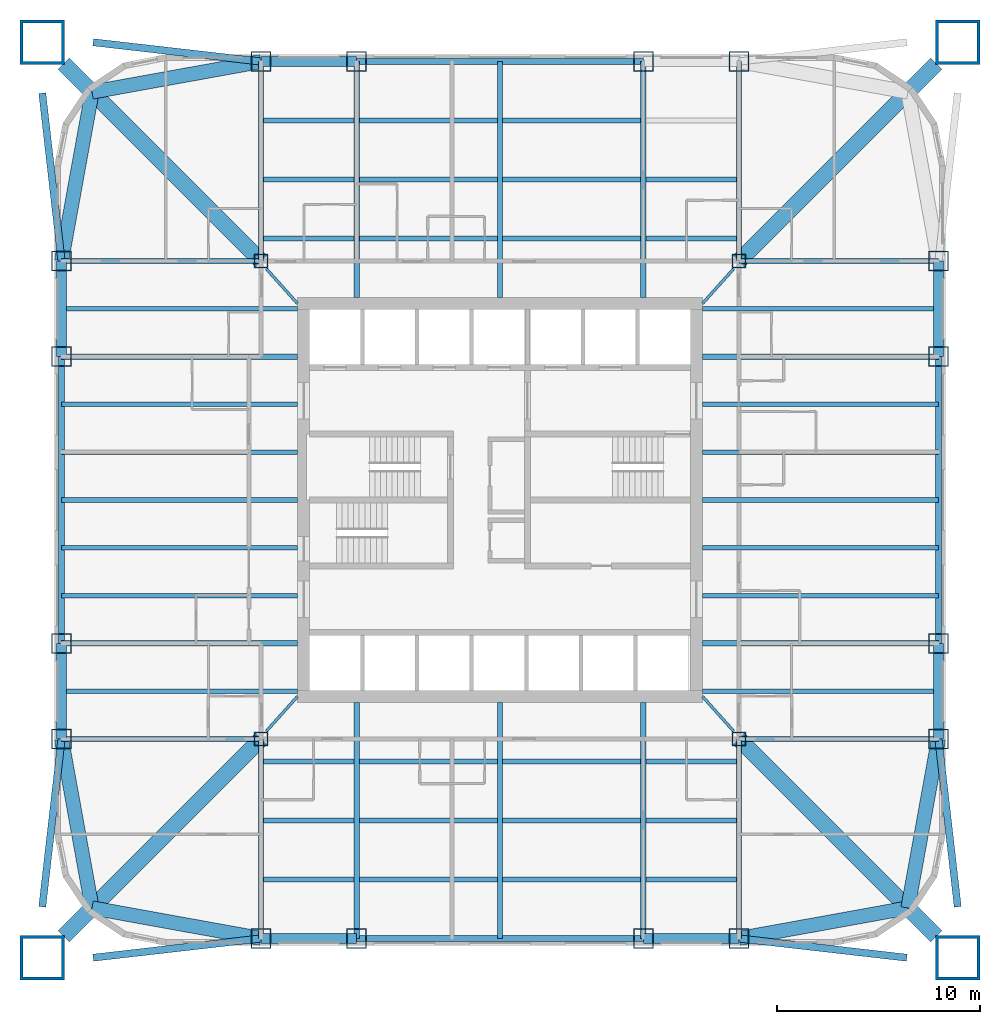
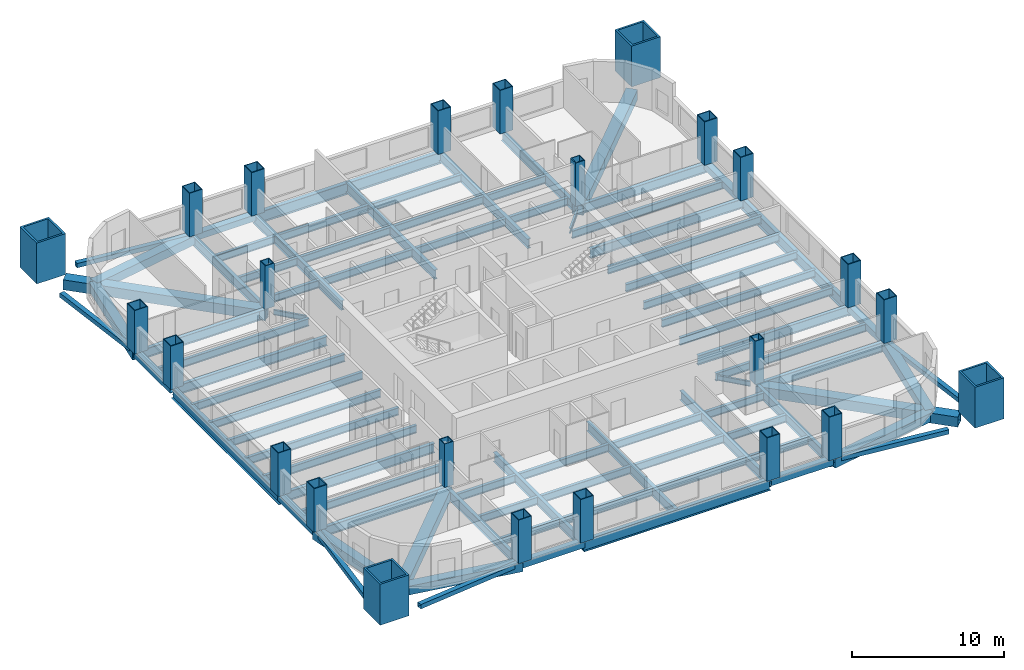
# One storey, part 1 of 9: 86 beams, 24 columns.
"""IFC4 building model written with IfcOpenShell, lengths in metres."""

from ifc_helpers import new_model, si_unit, direction, frame, origin, origin_2d, place, context, subcontext, project, spatial, hollow_rectangle, i_section, extrude, clip, halfspace, material, material_profile, profile_set, type_object, element, save


model = new_model("IFC4")

# Units and contexts
model_context = context("Model", 3, precision=1e-05, world=origin(), true_north=direction((0.0, 1.0)))
body_context = subcontext(model_context, "Body", "Model", "MODEL_VIEW")
ifc_project = project(units=[si_unit("LENGTHUNIT", "METRE"), si_unit("AREAUNIT", "SQUARE_METRE"), si_unit("VOLUMEUNIT", "CUBIC_METRE"), si_unit("PLANEANGLEUNIT", "RADIAN"), si_unit("MASSUNIT", "GRAM", prefix="KILO")], contexts=[model_context])

# Site, building, storey
site_placement = place(None, origin())
site = spatial("IfcSite", under=ifc_project, at=site_placement, CompositionType="ELEMENT")
building_placement = place(site_placement, origin())
building = spatial("IfcBuilding", under=site, at=building_placement, Name="Turquesa Mirador Hotel Tower", CompositionType="ELEMENT")
storey_placement = place(building_placement, frame((0.0, 0.0, 84.5)))
storey = spatial("IfcBuildingStorey", under=building, at=storey_placement, Name="L22", CompositionType="ELEMENT", Elevation=84.5)

# Columns
ifc_material_1 = material(Name="Steel ASTM A572 Grade 50", Category="steel")
ifc_material_profile_1 = material_profile(ifc_material_1, hollow_rectangle(XDim=1.0, YDim=1.0, WallThickness=0.06005859375, at=origin_2d()), Name="BOX1000X1000X60")
ifc_profile_set_1 = profile_set([ifc_material_profile_1], Name="Steel ASTM A572 Grade 50")
column_type_1 = type_object("IfcColumnType", Name="COLUMN BOX1000X1000X60", PredefinedType="COLUMN", material=ifc_profile_set_1)
for number, where, z_axis, x_axis, name in (
    (1, (33.35009765625, 33.199951171875, 0.0), (0.0, 0.0, 1.0), (1.0, 0.0, 0.0), "COL-L22-P--21.65--11.80"),
    (2, (33.35009765625, 37.919921875, 0.0), (0.0, 0.0, 1.0), (1.0, 0.0, 0.0), "COL-L22-P--21.65--7.08"),
    (3, (33.35009765625, 52.080078125, 0.0), (0.0, 0.0, 1.0), (1.0, 0.0, 0.0), "COL-L22-P--21.65-+7.08"),
    (4, (33.35009765625, 56.800048828125, 0.0), (0.0, 0.0, 1.0), (1.0, 0.0, 0.0), "COL-L22-P--21.65-+11.80"),
    (5, (43.199951171875, 23.35009765625, 0.0), (0.0, 0.0, 1.0), (1.0, 0.0, 0.0), "COL-L22-P--11.80--21.65"),
    (6, (43.199951171875, 66.64990234375, 0.0), (0.0, 0.0, 1.0), (1.0, 0.0, 0.0), "COL-L22-P--11.80-+21.65"),
    (7, (47.919921875, 23.35009765625, 0.0), (0.0, 0.0, 1.0), (1.0, 0.0, 0.0), "COL-L22-P--7.08--21.65"),
    (8, (47.919921875, 66.64990234375, 0.0), (0.0, 0.0, 1.0), (1.0, 0.0, 0.0), "COL-L22-P--7.08-+21.65"),
    (9, (62.080078125, 23.35009765625, 0.0), (0.0, 0.0, 1.0), (1.0, 0.0, 0.0), "COL-L22-P-+7.08--21.65"),
    (10, (62.080078125, 66.64990234375, 0.0), (0.0, 0.0, 1.0), (1.0, 0.0, 0.0), "COL-L22-P-+7.08-+21.65"),
    (11, (66.800048828125, 23.35009765625, 0.0), (0.0, 0.0, 1.0), (1.0, 0.0, 0.0), "COL-L22-P-+11.80--21.65"),
    (12, (66.800048828125, 66.64990234375, 0.0), (0.0, 0.0, 1.0), (1.0, 0.0, 0.0), "COL-L22-P-+11.80-+21.65"),
    (13, (76.64990234375, 33.199951171875, 0.0), (0.0, 0.0, 1.0), (1.0, 0.0, 0.0), "COL-L22-P-+21.65--11.80"),
    (14, (76.64990234375, 37.919921875, 0.0), (0.0, 0.0, 1.0), (1.0, 0.0, 0.0), "COL-L22-P-+21.65--7.08"),
    (15, (76.64990234375, 52.080078125, 0.0), (0.0, 0.0, 1.0), (1.0, 0.0, 0.0), "COL-L22-P-+21.65-+7.08"),
    (16, (76.64990234375, 56.800048828125, 0.0), (0.0, 0.0, 1.0), (1.0, 0.0, 0.0), "COL-L22-P-+21.65-+11.80"),
):
    element("IfcColumn", number, at=place(storey_placement, frame(where, z_axis=z_axis, x_axis=x_axis)), inside=storey, type_object=column_type_1, Name=name, PredefinedType="COLUMN", context=body_context, shape_type="SweptSolid", body=[
        extrude(hollow_rectangle(XDim=1.0, YDim=1.0, WallThickness=0.06005859375, at=origin_2d()), origin(), (0.0, 0.0, 1.0), 3.5),
    ])
ifc_material_2 = material(Name="Steel ASTM A572 Grade 50", Category="steel")
ifc_material_profile_2 = material_profile(ifc_material_2, hollow_rectangle(XDim=0.699951171875, YDim=0.699951171875, WallThickness=0.06005859375, at=origin_2d()), Name="BOX700X700X60")
ifc_profile_set_2 = profile_set([ifc_material_profile_2], Name="Steel ASTM A572 Grade 50")
column_type_2 = type_object("IfcColumnType", Name="COLUMN BOX700X700X60", PredefinedType="COLUMN", material=ifc_profile_set_2)
for number, where, z_axis, x_axis, name in (
    (17, (43.199951171875, 33.199951171875, 0.0), (0.0, 0.0, 1.0), (1.0, 0.0, 0.0), "COL-L22-K--11.80--11.80"),
    (18, (43.199951171875, 56.800048828125, 0.0), (0.0, 0.0, 1.0), (1.0, 0.0, 0.0), "COL-L22-K--11.80-+11.80"),
    (19, (66.800048828125, 33.199951171875, 0.0), (0.0, 0.0, 1.0), (1.0, 0.0, 0.0), "COL-L22-K-+11.80--11.80"),
    (20, (66.800048828125, 56.800048828125, 0.0), (0.0, 0.0, 1.0), (1.0, 0.0, 0.0), "COL-L22-K-+11.80-+11.80"),
):
    element("IfcColumn", number, at=place(storey_placement, frame(where, z_axis=z_axis, x_axis=x_axis)), inside=storey, type_object=column_type_2, Name=name, PredefinedType="COLUMN", context=body_context, shape_type="SweptSolid", body=[
        extrude(hollow_rectangle(XDim=0.699951171875, YDim=0.699951171875, WallThickness=0.06005859375, at=origin_2d()), origin(), (0.0, 0.0, 1.0), 3.5),
    ])
ifc_material_3 = material(Name="Steel ASTM A514 Grade Q", Category="steel")
ifc_material_profile_3 = material_profile(ifc_material_3, hollow_rectangle(XDim=2.199951171875, YDim=2.199951171875, WallThickness=0.14990234375, at=origin_2d()), Name="BOX2200X2200X150")
ifc_profile_set_3 = profile_set([ifc_material_profile_3], Name="Steel ASTM A514 Grade Q")
column_type_3 = type_object("IfcColumnType", Name="MEGA COLUMN BOX2200X2200X150", PredefinedType="COLUMN", material=ifc_profile_set_3)
for number, where, z_axis, x_axis, name in (
    (21, (77.60009765625, 67.60009765625, 0.0), (0.0, 0.0, 1.0), (1.0, 0.0, 0.0), "Mega column M1"),
    (22, (32.39990234375, 67.60009765625, 0.0), (0.0, 0.0, 1.0), (1.0, 0.0, 0.0), "Mega column M2"),
    (23, (32.39990234375, 22.39990234375, 0.0), (0.0, 0.0, 1.0), (1.0, 0.0, 0.0), "Mega column M3"),
    (24, (77.60009765625, 22.39990234375, 0.0), (0.0, 0.0, 1.0), (1.0, 0.0, 0.0), "Mega column M4"),
):
    element("IfcColumn", number, at=place(storey_placement, frame(where, z_axis=z_axis, x_axis=x_axis)), inside=storey, type_object=column_type_3, Name=name, PredefinedType="COLUMN", context=body_context, shape_type="Clipping", body=[
        clip(extrude(hollow_rectangle(XDim=2.199951171875, YDim=2.199951171875, WallThickness=0.14990234375, at=origin_2d()), origin(), (0.0, 0.0, 1.0), 3.5), halfspace(frame((0.0, 0.0, 3.284423828125), z_axis=(0.0, 0.0, 1.0), x_axis=(1.0, 0.0, 0.0)), False)),
    ])

# Beams
ifc_material_4 = material(Name="Steel ASTM A572 Grade 50", Category="steel")
ifc_material_profile_4 = material_profile(ifc_material_4, hollow_rectangle(XDim=0.5, YDim=0.5, WallThickness=0.01611328125, at=origin_2d()), Name="BOX500X500X16")
ifc_profile_set_4 = profile_set([ifc_material_profile_4], Name="Steel ASTM A572 Grade 50")
beam_type_1 = type_object("IfcBeamType", Name="BEAM BOX500X500X16", PredefinedType="BEAM", material=ifc_profile_set_4)
for number, where, z_axis, x_axis, name in (
    (25, (43.199951171875, 66.64990234375, -0.419921875), (1.0, 0.0, 0.0), (0.0, 1.0, 0.0), "EB-L22-N-L"),
    (26, (43.199951171875, 23.35009765625, -0.419921875), (1.0, 0.0, 0.0), (0.0, 1.0, 0.0), "EB-L22-S-L"),
    (27, (62.080078125, 23.35009765625, -0.419921875), (1.0, 0.0, 0.0), (0.0, 1.0, 0.0), "EB-L22-S-R"),
    (28, (76.64990234375, 33.199951171875, -0.419921875), (0.0, 1.0, 0.0), (-1.0, 0.0, 0.0), "EB-L22-E-L"),
    (29, (76.64990234375, 52.080078125, -0.419921875), (0.0, 1.0, 0.0), (-1.0, 0.0, 0.0), "EB-L22-E-R"),
    (30, (33.35009765625, 33.199951171875, -0.419921875), (0.0, 1.0, 0.0), (-1.0, 0.0, 0.0), "EB-L22-W-L"),
    (31, (33.35009765625, 52.080078125, -0.419921875), (0.0, 1.0, 0.0), (-1.0, 0.0, 0.0), "EB-L22-W-R"),
):
    element("IfcBeam", number, at=place(storey_placement, frame(where, z_axis=z_axis, x_axis=x_axis)), inside=storey, type_object=beam_type_1, Name=name, PredefinedType="BEAM", context=body_context, shape_type="SweptSolid", body=[
        extrude(hollow_rectangle(XDim=0.5, YDim=0.5, WallThickness=0.01611328125, at=origin_2d()), origin(), (0.0, 0.0, 1.0), 4.719970703125),
    ])
ifc_material_5 = material(Name="Steel ASTM A572 Grade 50", Category="steel")
ifc_material_profile_5 = material_profile(ifc_material_5, hollow_rectangle(XDim=0.699951171875, YDim=0.699951171875, WallThickness=0.044921875, at=origin_2d()), Name="BOX700X700X45")
ifc_profile_set_5 = profile_set([ifc_material_profile_5], Name="Steel ASTM A572 Grade 50")
beam_type_2 = type_object("IfcBeamType", Name="BEAM BOX700X700X45", PredefinedType="BEAM", material=ifc_profile_set_5)
for number, where, z_axis, x_axis, name in (
    (32, (33.35009765625, 56.800048828125, -0.52001953125), (0.177932387818, 0.984042715214, 0.0), (-0.984042715214, 0.177932387818, 0.0), "KE-L22-2-0"),
    (33, (34.8583984375, 65.1416015625, -0.52001953125), (0.984042715214, 0.177932387818, 0.0), (-0.177932387818, 0.984042715214, 0.0), "KE-L22-2-1"),
    (34, (33.35009765625, 33.199951171875, -0.52001953125), (0.177932387818, -0.984042715214, 0.0), (0.984042715214, 0.177932387818, 0.0), "KE-L22-3-0"),
    (35, (34.8583984375, 24.8583984375, -0.52001953125), (0.984042715214, -0.177932387818, 0.0), (0.177932387818, 0.984042715214, 0.0), "KE-L22-3-1"),
    (36, (76.64990234375, 33.199951171875, -0.52001953125), (-0.177932387818, -0.984042715214, 0.0), (0.984042715214, -0.177932387818, 0.0), "KE-L22-4-0"),
    (37, (75.1416015625, 24.8583984375, -0.52001953125), (-0.984042715214, -0.177932387818, 0.0), (0.177932387818, -0.984042715214, 0.0), "KE-L22-4-1"),
):
    element("IfcBeam", number, at=place(storey_placement, frame(where, z_axis=z_axis, x_axis=x_axis)), inside=storey, type_object=beam_type_2, Name=name, PredefinedType="BEAM", context=body_context, shape_type="SweptSolid", body=[
        extrude(hollow_rectangle(XDim=0.699951171875, YDim=0.699951171875, WallThickness=0.044921875, at=origin_2d()), origin(), (0.0, 0.0, 1.0), 8.476806640625),
    ])
ifc_material_6 = material(Name="Steel ASTM A572 Grade 50", Category="steel")
ifc_material_profile_6 = material_profile(ifc_material_6, hollow_rectangle(XDim=0.800048828125, YDim=0.800048828125, WallThickness=0.050048828125, at=origin_2d()), Name="BOX800X800X50")
ifc_profile_set_6 = profile_set([ifc_material_profile_6], Name="Steel ASTM A572 Grade 50")
beam_type_3 = type_object("IfcBeamType", Name="BEAM BOX800X800X50", PredefinedType="BEAM", material=ifc_profile_set_6)
for number, where, z_axis, x_axis, name in (
    (38, (66.800048828125, 56.800048828125, -0.570068359375), (0.707106781187, 0.707106781187, 0.0), (-0.707106781187, 0.707106781187, 0.0), "KD-L22-1"),
    (39, (43.199951171875, 56.800048828125, -0.570068359375), (-0.707106781187, 0.707106781187, 0.0), (-0.707106781187, -0.707106781187, 0.0), "KD-L22-2"),
    (40, (43.199951171875, 33.199951171875, -0.570068359375), (-0.707106781187, -0.707106781187, 0.0), (0.707106781187, -0.707106781187, 0.0), "KD-L22-3"),
    (41, (66.800048828125, 33.199951171875, -0.570068359375), (0.707106781187, -0.707106781187, 0.0), (0.707106781187, 0.707106781187, 0.0), "KD-L22-4"),
):
    element("IfcBeam", number, at=place(storey_placement, frame(where, z_axis=z_axis, x_axis=x_axis)), inside=storey, type_object=beam_type_3, Name=name, PredefinedType="BEAM", context=body_context, shape_type="SweptSolid", body=[
        extrude(hollow_rectangle(XDim=0.800048828125, YDim=0.800048828125, WallThickness=0.050048828125, at=origin_2d()), origin(), (0.0, 0.0, 1.0), 13.78857421875),
    ])
ifc_material_7 = material(Name="Steel ASTM A992 Grade 50", Category="steel")
ifc_material_profile_7 = material_profile(ifc_material_7, i_section(OverallWidth=0.140380859375, OverallDepth=0.40380859375, WebThickness=0.007080078125, FlangeThickness=0.01123046875, at=origin_2d()), Name="W16X31")
ifc_profile_set_7 = profile_set([ifc_material_profile_7], Name="Steel ASTM A992 Grade 50")
beam_type_4 = type_object("IfcBeamType", Name="BEAM W16X31", PredefinedType="BEAM", material=ifc_profile_set_7)
for number, where, z_axis, x_axis, name in (
    (42, (66.529541015625, 56.40966796875, -0.371826171875), (-0.666745084392, -0.745285846129, 0.0), (0.745285846129, -0.666745084392, 0.0), "KT-L22-1"),
    (43, (43.470458984375, 56.40966796875, -0.371826171875), (0.666745084392, -0.745285846129, 0.0), (0.745285846129, 0.666745084392, 0.0), "KT-L22-2"),
    (44, (43.470458984375, 33.59033203125, -0.371826171875), (0.666745084392, 0.745285846129, 0.0), (-0.745285846129, 0.666745084392, 0.0), "KT-L22-3"),
    (45, (66.529541015625, 33.59033203125, -0.371826171875), (-0.666745084392, 0.745285846129, 0.0), (-0.745285846129, -0.666745084392, 0.0), "KT-L22-4"),
):
    element("IfcBeam", number, at=place(storey_placement, frame(where, z_axis=z_axis, x_axis=x_axis)), inside=storey, type_object=beam_type_4, Name=name, PredefinedType="BEAM", context=body_context, shape_type="SweptSolid", body=[
        extrude(i_section(OverallWidth=0.140380859375, OverallDepth=0.40380859375, WebThickness=0.007080078125, FlangeThickness=0.01123046875, at=origin_2d()), origin(), (0.0, 0.0, 1.0), 2.2939453125),
    ])
ifc_material_8 = material(Name="Steel ASTM A992 Grade 50", Category="steel")
ifc_material_profile_8 = material_profile(ifc_material_8, i_section(OverallWidth=0.228271484375, OverallDepth=0.607177734375, WebThickness=0.01123046875, FlangeThickness=0.017333984375, at=origin_2d()), Name="W24X76")
ifc_profile_set_8 = profile_set([ifc_material_profile_8], Name="Steel ASTM A992 Grade 50")
beam_type_5 = type_object("IfcBeamType", Name="BEAM W24X76", PredefinedType="BEAM", material=ifc_profile_set_8)
beam_1_placement = place(storey_placement, frame((43.333251953125, 57.912109375, -0.4736328125), z_axis=(1.0, 0.0, 0.0), x_axis=(0.0, 1.0, 0.0)))
element("IfcBeam", 46, at=beam_1_placement, inside=storey, type_object=beam_type_5, Name="IB-L22-N-1-0", PredefinedType="BEAM", context=body_context, shape_type="SweptSolid", body=[
    extrude(i_section(OverallWidth=0.228271484375, OverallDepth=0.607177734375, WebThickness=0.01123046875, FlangeThickness=0.017333984375, at=origin_2d()), origin(), (0.0, 0.0, 1.0), 4.453369140625),
])
for number, where, z_axis, x_axis, name in (
    (47, (48.053466796875, 57.912109375, -0.4736328125), (1.0, 0.0, 0.0), (0.0, 1.0, 0.0), "IB-L22-N-1-1"),
    (48, (55.13330078125, 57.912109375, -0.4736328125), (1.0, 0.0, 0.0), (0.0, 1.0, 0.0), "IB-L22-N-1-2"),
):
    element("IfcBeam", number, at=place(storey_placement, frame(where, z_axis=z_axis, x_axis=x_axis)), inside=storey, type_object=beam_type_5, Name=name, PredefinedType="BEAM", context=body_context, shape_type="SweptSolid", body=[
        extrude(i_section(OverallWidth=0.228271484375, OverallDepth=0.607177734375, WebThickness=0.01123046875, FlangeThickness=0.017333984375, at=origin_2d()), origin(), (0.0, 0.0, 1.0), 6.813232421875),
    ])
for number, where, z_axis, x_axis, name in (
    (49, (62.21337890625, 57.912109375, -0.4736328125), (1.0, 0.0, 0.0), (0.0, 1.0, 0.0), "IB-L22-N-1-3"),
    (50, (43.333251953125, 60.824951171875, -0.4736328125), (1.0, 0.0, 0.0), (0.0, 1.0, 0.0), "IB-L22-N-2-0"),
):
    element("IfcBeam", number, at=place(storey_placement, frame(where, z_axis=z_axis, x_axis=x_axis)), inside=storey, type_object=beam_type_5, Name=name, PredefinedType="BEAM", context=body_context, shape_type="SweptSolid", body=[
        extrude(i_section(OverallWidth=0.228271484375, OverallDepth=0.607177734375, WebThickness=0.01123046875, FlangeThickness=0.017333984375, at=origin_2d()), origin(), (0.0, 0.0, 1.0), 4.453369140625),
    ])
for number, where, z_axis, x_axis, name in (
    (51, (48.053466796875, 60.824951171875, -0.4736328125), (1.0, 0.0, 0.0), (0.0, 1.0, 0.0), "IB-L22-N-2-1"),
    (52, (55.13330078125, 60.824951171875, -0.4736328125), (1.0, 0.0, 0.0), (0.0, 1.0, 0.0), "IB-L22-N-2-2"),
):
    element("IfcBeam", number, at=place(storey_placement, frame(where, z_axis=z_axis, x_axis=x_axis)), inside=storey, type_object=beam_type_5, Name=name, PredefinedType="BEAM", context=body_context, shape_type="SweptSolid", body=[
        extrude(i_section(OverallWidth=0.228271484375, OverallDepth=0.607177734375, WebThickness=0.01123046875, FlangeThickness=0.017333984375, at=origin_2d()), origin(), (0.0, 0.0, 1.0), 6.813232421875),
    ])
for number, where, z_axis, x_axis, name in (
    (53, (62.21337890625, 60.824951171875, -0.4736328125), (1.0, 0.0, 0.0), (0.0, 1.0, 0.0), "IB-L22-N-2-3"),
    (54, (43.333251953125, 63.737060546875, -0.4736328125), (1.0, 0.0, 0.0), (0.0, 1.0, 0.0), "IB-L22-N-3-0"),
):
    element("IfcBeam", number, at=place(storey_placement, frame(where, z_axis=z_axis, x_axis=x_axis)), inside=storey, type_object=beam_type_5, Name=name, PredefinedType="BEAM", context=body_context, shape_type="SweptSolid", body=[
        extrude(i_section(OverallWidth=0.228271484375, OverallDepth=0.607177734375, WebThickness=0.01123046875, FlangeThickness=0.017333984375, at=origin_2d()), origin(), (0.0, 0.0, 1.0), 4.453369140625),
    ])
for number, where, z_axis, x_axis, name in (
    (55, (48.053466796875, 63.737060546875, -0.4736328125), (1.0, 0.0, 0.0), (0.0, 1.0, 0.0), "IB-L22-N-3-1"),
    (56, (55.13330078125, 63.737060546875, -0.4736328125), (1.0, 0.0, 0.0), (0.0, 1.0, 0.0), "IB-L22-N-3-2"),
):
    element("IfcBeam", number, at=place(storey_placement, frame(where, z_axis=z_axis, x_axis=x_axis)), inside=storey, type_object=beam_type_5, Name=name, PredefinedType="BEAM", context=body_context, shape_type="SweptSolid", body=[
        extrude(i_section(OverallWidth=0.228271484375, OverallDepth=0.607177734375, WebThickness=0.01123046875, FlangeThickness=0.017333984375, at=origin_2d()), origin(), (0.0, 0.0, 1.0), 6.813232421875),
    ])
beam_2_placement = place(storey_placement, frame((43.333251953125, 32.087890625, -0.4736328125), z_axis=(1.0, 0.0, 0.0), x_axis=(0.0, 1.0, 0.0)))
element("IfcBeam", 57, at=beam_2_placement, inside=storey, type_object=beam_type_5, Name="IB-L22-S-1-0", PredefinedType="BEAM", context=body_context, shape_type="SweptSolid", body=[
    extrude(i_section(OverallWidth=0.228271484375, OverallDepth=0.607177734375, WebThickness=0.01123046875, FlangeThickness=0.017333984375, at=origin_2d()), origin(), (0.0, 0.0, 1.0), 4.453369140625),
])
for number, where, z_axis, x_axis, name in (
    (58, (48.053466796875, 32.087890625, -0.4736328125), (1.0, 0.0, 0.0), (0.0, 1.0, 0.0), "IB-L22-S-1-1"),
    (59, (55.13330078125, 32.087890625, -0.4736328125), (1.0, 0.0, 0.0), (0.0, 1.0, 0.0), "IB-L22-S-1-2"),
):
    element("IfcBeam", number, at=place(storey_placement, frame(where, z_axis=z_axis, x_axis=x_axis)), inside=storey, type_object=beam_type_5, Name=name, PredefinedType="BEAM", context=body_context, shape_type="SweptSolid", body=[
        extrude(i_section(OverallWidth=0.228271484375, OverallDepth=0.607177734375, WebThickness=0.01123046875, FlangeThickness=0.017333984375, at=origin_2d()), origin(), (0.0, 0.0, 1.0), 6.813232421875),
    ])
for number, where, z_axis, x_axis, name in (
    (60, (62.21337890625, 32.087890625, -0.4736328125), (1.0, 0.0, 0.0), (0.0, 1.0, 0.0), "IB-L22-S-1-3"),
    (61, (43.333251953125, 29.175048828125, -0.4736328125), (1.0, 0.0, 0.0), (0.0, 1.0, 0.0), "IB-L22-S-2-0"),
):
    element("IfcBeam", number, at=place(storey_placement, frame(where, z_axis=z_axis, x_axis=x_axis)), inside=storey, type_object=beam_type_5, Name=name, PredefinedType="BEAM", context=body_context, shape_type="SweptSolid", body=[
        extrude(i_section(OverallWidth=0.228271484375, OverallDepth=0.607177734375, WebThickness=0.01123046875, FlangeThickness=0.017333984375, at=origin_2d()), origin(), (0.0, 0.0, 1.0), 4.453369140625),
    ])
for number, where, z_axis, x_axis, name in (
    (62, (48.053466796875, 29.175048828125, -0.4736328125), (1.0, 0.0, 0.0), (0.0, 1.0, 0.0), "IB-L22-S-2-1"),
    (63, (55.13330078125, 29.175048828125, -0.4736328125), (1.0, 0.0, 0.0), (0.0, 1.0, 0.0), "IB-L22-S-2-2"),
):
    element("IfcBeam", number, at=place(storey_placement, frame(where, z_axis=z_axis, x_axis=x_axis)), inside=storey, type_object=beam_type_5, Name=name, PredefinedType="BEAM", context=body_context, shape_type="SweptSolid", body=[
        extrude(i_section(OverallWidth=0.228271484375, OverallDepth=0.607177734375, WebThickness=0.01123046875, FlangeThickness=0.017333984375, at=origin_2d()), origin(), (0.0, 0.0, 1.0), 6.813232421875),
    ])
for number, where, z_axis, x_axis, name in (
    (64, (62.21337890625, 29.175048828125, -0.4736328125), (1.0, 0.0, 0.0), (0.0, 1.0, 0.0), "IB-L22-S-2-3"),
    (65, (43.333251953125, 26.262939453125, -0.4736328125), (1.0, 0.0, 0.0), (0.0, 1.0, 0.0), "IB-L22-S-3-0"),
):
    element("IfcBeam", number, at=place(storey_placement, frame(where, z_axis=z_axis, x_axis=x_axis)), inside=storey, type_object=beam_type_5, Name=name, PredefinedType="BEAM", context=body_context, shape_type="SweptSolid", body=[
        extrude(i_section(OverallWidth=0.228271484375, OverallDepth=0.607177734375, WebThickness=0.01123046875, FlangeThickness=0.017333984375, at=origin_2d()), origin(), (0.0, 0.0, 1.0), 4.453369140625),
    ])
for number, where, z_axis, x_axis, name in (
    (66, (48.053466796875, 26.262939453125, -0.4736328125), (1.0, 0.0, 0.0), (0.0, 1.0, 0.0), "IB-L22-S-3-1"),
    (67, (55.13330078125, 26.262939453125, -0.4736328125), (1.0, 0.0, 0.0), (0.0, 1.0, 0.0), "IB-L22-S-3-2"),
):
    element("IfcBeam", number, at=place(storey_placement, frame(where, z_axis=z_axis, x_axis=x_axis)), inside=storey, type_object=beam_type_5, Name=name, PredefinedType="BEAM", context=body_context, shape_type="SweptSolid", body=[
        extrude(i_section(OverallWidth=0.228271484375, OverallDepth=0.607177734375, WebThickness=0.01123046875, FlangeThickness=0.017333984375, at=origin_2d()), origin(), (0.0, 0.0, 1.0), 6.813232421875),
    ])
beam_3_placement = place(storey_placement, frame((62.21337890625, 26.262939453125, -0.4736328125), z_axis=(1.0, 0.0, 0.0), x_axis=(0.0, 1.0, 0.0)))
element("IfcBeam", 68, at=beam_3_placement, inside=storey, type_object=beam_type_5, Name="IB-L22-S-3-3", PredefinedType="BEAM", context=body_context, shape_type="SweptSolid", body=[
    extrude(i_section(OverallWidth=0.228271484375, OverallDepth=0.607177734375, WebThickness=0.01123046875, FlangeThickness=0.017333984375, at=origin_2d()), origin(), (0.0, 0.0, 1.0), 4.453369140625),
])
for number, where, z_axis, x_axis, name in (
    (69, (76.64990234375, 35.56005859375, -0.4736328125), (-1.0, 0.0, 0.0), (0.0, -1.0, 0.0), "BM-L22-E--9.44"),
    (70, (76.64990234375, 40.280029296875, -0.4736328125), (-1.0, 0.0, 0.0), (0.0, -1.0, 0.0), "BM-L22-E--4.72"),
    (71, (76.64990234375, 42.639892578125, -0.4736328125), (-1.0, 0.0, 0.0), (0.0, -1.0, 0.0), "BM-L22-E--2.36"),
    (72, (76.64990234375, 45.0, -0.4736328125), (-1.0, 0.0, 0.0), (0.0, -1.0, 0.0), "BM-L22-E-+0.00"),
    (73, (76.64990234375, 47.360107421875, -0.4736328125), (-1.0, 0.0, 0.0), (0.0, -1.0, 0.0), "BM-L22-E-+2.36"),
    (74, (76.64990234375, 49.719970703125, -0.4736328125), (-1.0, 0.0, 0.0), (0.0, -1.0, 0.0), "BM-L22-E-+4.72"),
    (75, (76.64990234375, 54.43994140625, -0.4736328125), (-1.0, 0.0, 0.0), (0.0, -1.0, 0.0), "BM-L22-E-+9.44"),
    (76, (33.35009765625, 35.56005859375, -0.4736328125), (1.0, 0.0, 0.0), (0.0, 1.0, 0.0), "BM-L22-W--9.44"),
    (77, (33.35009765625, 40.280029296875, -0.4736328125), (1.0, 0.0, 0.0), (0.0, 1.0, 0.0), "BM-L22-W--4.72"),
    (78, (33.35009765625, 42.639892578125, -0.4736328125), (1.0, 0.0, 0.0), (0.0, 1.0, 0.0), "BM-L22-W--2.36"),
    (79, (33.35009765625, 45.0, -0.4736328125), (1.0, 0.0, 0.0), (0.0, 1.0, 0.0), "BM-L22-W-+0.00"),
    (80, (33.35009765625, 47.360107421875, -0.4736328125), (1.0, 0.0, 0.0), (0.0, 1.0, 0.0), "BM-L22-W-+2.36"),
    (81, (33.35009765625, 49.719970703125, -0.4736328125), (1.0, 0.0, 0.0), (0.0, 1.0, 0.0), "BM-L22-W-+4.72"),
    (82, (33.35009765625, 54.43994140625, -0.4736328125), (1.0, 0.0, 0.0), (0.0, 1.0, 0.0), "BM-L22-W-+9.44"),
):
    element("IfcBeam", number, at=place(storey_placement, frame(where, z_axis=z_axis, x_axis=x_axis)), inside=storey, type_object=beam_type_5, Name=name, PredefinedType="BEAM", context=body_context, shape_type="SweptSolid", body=[
        extrude(i_section(OverallWidth=0.228271484375, OverallDepth=0.607177734375, WebThickness=0.01123046875, FlangeThickness=0.017333984375, at=origin_2d()), origin(), (0.0, 0.0, 1.0), 11.64990234375),
    ])
ifc_material_9 = material(Name="Steel ASTM A992 Grade 50", Category="steel")
ifc_material_profile_9 = material_profile(ifc_material_9, i_section(OverallWidth=0.2666015625, OverallDepth=0.7568359375, WebThickness=0.013916015625, FlangeThickness=0.019287109375, at=origin_2d()), Name="W30X108")
ifc_profile_set_9 = profile_set([ifc_material_profile_9], Name="Steel ASTM A992 Grade 50")
beam_type_6 = type_object("IfcBeamType", Name="BEAM W30X108", PredefinedType="BEAM", material=ifc_profile_set_9)
for number, where, z_axis, x_axis, name in (
    (83, (47.919921875, 66.64990234375, -0.54833984375), (0.0, -1.0, 0.0), (1.0, 0.0, 0.0), "GD-L22-N--7.08"),
    (84, (62.080078125, 66.64990234375, -0.54833984375), (0.0, -1.0, 0.0), (1.0, 0.0, 0.0), "GD-L22-N-+7.08"),
    (85, (55.0, 66.64990234375, -0.54833984375), (0.0, -1.0, 0.0), (1.0, 0.0, 0.0), "GD-L22-N-+0.00"),
):
    element("IfcBeam", number, at=place(storey_placement, frame(where, z_axis=z_axis, x_axis=x_axis)), inside=storey, type_object=beam_type_6, Name=name, PredefinedType="BEAM", context=body_context, shape_type="SweptSolid", body=[
        extrude(i_section(OverallWidth=0.2666015625, OverallDepth=0.7568359375, WebThickness=0.013916015625, FlangeThickness=0.019287109375, at=origin_2d()), origin(), (0.0, 0.0, 1.0), 11.64990234375),
    ])
for number, where, z_axis, x_axis, name in (
    (86, (43.199951171875, 66.64990234375, -0.54833984375), (0.0, -1.0, 0.0), (1.0, 0.0, 0.0), "GK-L22-N--11.80"),
    (87, (66.800048828125, 66.64990234375, -0.54833984375), (0.0, -1.0, 0.0), (1.0, 0.0, 0.0), "GK-L22-N-+11.80"),
):
    element("IfcBeam", number, at=place(storey_placement, frame(where, z_axis=z_axis, x_axis=x_axis)), inside=storey, type_object=beam_type_6, Name=name, PredefinedType="BEAM", context=body_context, shape_type="SweptSolid", body=[
        extrude(i_section(OverallWidth=0.2666015625, OverallDepth=0.7568359375, WebThickness=0.013916015625, FlangeThickness=0.019287109375, at=origin_2d()), origin(), (0.0, 0.0, 1.0), 9.849853515625),
    ])
for number, where, z_axis, x_axis, name in (
    (88, (47.919921875, 23.35009765625, -0.54833984375), (0.0, 1.0, 0.0), (-1.0, 0.0, 0.0), "GD-L22-S--7.08"),
    (89, (62.080078125, 23.35009765625, -0.54833984375), (0.0, 1.0, 0.0), (-1.0, 0.0, 0.0), "GD-L22-S-+7.08"),
    (90, (55.0, 23.35009765625, -0.54833984375), (0.0, 1.0, 0.0), (-1.0, 0.0, 0.0), "GD-L22-S-+0.00"),
):
    element("IfcBeam", number, at=place(storey_placement, frame(where, z_axis=z_axis, x_axis=x_axis)), inside=storey, type_object=beam_type_6, Name=name, PredefinedType="BEAM", context=body_context, shape_type="SweptSolid", body=[
        extrude(i_section(OverallWidth=0.2666015625, OverallDepth=0.7568359375, WebThickness=0.013916015625, FlangeThickness=0.019287109375, at=origin_2d()), origin(), (0.0, 0.0, 1.0), 11.64990234375),
    ])
for number, where, z_axis, x_axis, name in (
    (91, (43.199951171875, 23.35009765625, -0.54833984375), (0.0, 1.0, 0.0), (-1.0, 0.0, 0.0), "GK-L22-S--11.80"),
    (92, (66.800048828125, 23.35009765625, -0.54833984375), (0.0, 1.0, 0.0), (-1.0, 0.0, 0.0), "GK-L22-S-+11.80"),
):
    element("IfcBeam", number, at=place(storey_placement, frame(where, z_axis=z_axis, x_axis=x_axis)), inside=storey, type_object=beam_type_6, Name=name, PredefinedType="BEAM", context=body_context, shape_type="SweptSolid", body=[
        extrude(i_section(OverallWidth=0.2666015625, OverallDepth=0.7568359375, WebThickness=0.013916015625, FlangeThickness=0.019287109375, at=origin_2d()), origin(), (0.0, 0.0, 1.0), 9.849853515625),
    ])
for number, where, z_axis, x_axis, name in (
    (93, (76.64990234375, 37.919921875, -0.54833984375), (-1.0, 0.0, 0.0), (0.0, -1.0, 0.0), "GD-L22-E--7.08"),
    (94, (76.64990234375, 52.080078125, -0.54833984375), (-1.0, 0.0, 0.0), (0.0, -1.0, 0.0), "GD-L22-E-+7.08"),
):
    element("IfcBeam", number, at=place(storey_placement, frame(where, z_axis=z_axis, x_axis=x_axis)), inside=storey, type_object=beam_type_6, Name=name, PredefinedType="BEAM", context=body_context, shape_type="SweptSolid", body=[
        extrude(i_section(OverallWidth=0.2666015625, OverallDepth=0.7568359375, WebThickness=0.013916015625, FlangeThickness=0.019287109375, at=origin_2d()), origin(), (0.0, 0.0, 1.0), 11.64990234375),
    ])
for number, where, z_axis, x_axis, name in (
    (95, (76.64990234375, 33.199951171875, -0.54833984375), (-1.0, 0.0, 0.0), (0.0, -1.0, 0.0), "GK-L22-E--11.80"),
    (96, (76.64990234375, 56.800048828125, -0.54833984375), (-1.0, 0.0, 0.0), (0.0, -1.0, 0.0), "GK-L22-E-+11.80"),
):
    element("IfcBeam", number, at=place(storey_placement, frame(where, z_axis=z_axis, x_axis=x_axis)), inside=storey, type_object=beam_type_6, Name=name, PredefinedType="BEAM", context=body_context, shape_type="SweptSolid", body=[
        extrude(i_section(OverallWidth=0.2666015625, OverallDepth=0.7568359375, WebThickness=0.013916015625, FlangeThickness=0.019287109375, at=origin_2d()), origin(), (0.0, 0.0, 1.0), 9.849853515625),
    ])
for number, where, z_axis, x_axis, name in (
    (97, (33.35009765625, 37.919921875, -0.54833984375), (1.0, 0.0, 0.0), (0.0, 1.0, 0.0), "GD-L22-W--7.08"),
    (98, (33.35009765625, 52.080078125, -0.54833984375), (1.0, 0.0, 0.0), (0.0, 1.0, 0.0), "GD-L22-W-+7.08"),
):
    element("IfcBeam", number, at=place(storey_placement, frame(where, z_axis=z_axis, x_axis=x_axis)), inside=storey, type_object=beam_type_6, Name=name, PredefinedType="BEAM", context=body_context, shape_type="SweptSolid", body=[
        extrude(i_section(OverallWidth=0.2666015625, OverallDepth=0.7568359375, WebThickness=0.013916015625, FlangeThickness=0.019287109375, at=origin_2d()), origin(), (0.0, 0.0, 1.0), 11.64990234375),
    ])
for number, where, z_axis, x_axis, name in (
    (99, (33.35009765625, 33.199951171875, -0.54833984375), (1.0, 0.0, 0.0), (0.0, 1.0, 0.0), "GK-L22-W--11.80"),
    (100, (33.35009765625, 56.800048828125, -0.54833984375), (1.0, 0.0, 0.0), (0.0, 1.0, 0.0), "GK-L22-W-+11.80"),
):
    element("IfcBeam", number, at=place(storey_placement, frame(where, z_axis=z_axis, x_axis=x_axis)), inside=storey, type_object=beam_type_6, Name=name, PredefinedType="BEAM", context=body_context, shape_type="SweptSolid", body=[
        extrude(i_section(OverallWidth=0.2666015625, OverallDepth=0.7568359375, WebThickness=0.013916015625, FlangeThickness=0.019287109375, at=origin_2d()), origin(), (0.0, 0.0, 1.0), 9.849853515625),
    ])
ifc_material_10 = material(Name="Steel ASTM A992 Grade 50", Category="steel")
ifc_material_profile_10 = material_profile(ifc_material_10, i_section(OverallWidth=0.3046875, OverallDepth=0.911865234375, WebThickness=0.015869140625, FlangeThickness=0.02392578125, at=origin_2d()), Name="W36X150")
ifc_profile_set_10 = profile_set([ifc_material_profile_10], Name="Steel ASTM A992 Grade 50")
beam_type_7 = type_object("IfcBeamType", Name="BEAM W36X150", PredefinedType="BEAM", material=ifc_profile_set_10)
for number, where, z_axis, x_axis, name in (
    (101, (47.919921875, 66.64990234375, -0.6259765625), (1.0, 0.0, 0.0), (0.0, 1.0, 0.0), "EB-L22-N-C"),
    (102, (47.919921875, 23.35009765625, -0.6259765625), (1.0, 0.0, 0.0), (0.0, 1.0, 0.0), "EB-L22-S-C"),
    (103, (76.64990234375, 37.919921875, -0.6259765625), (0.0, 1.0, 0.0), (-1.0, 0.0, 0.0), "EB-L22-E-C"),
    (104, (33.35009765625, 37.919921875, -0.6259765625), (0.0, 1.0, 0.0), (-1.0, 0.0, 0.0), "EB-L22-W-C"),
):
    element("IfcBeam", number, at=place(storey_placement, frame(where, z_axis=z_axis, x_axis=x_axis)), inside=storey, type_object=beam_type_7, Name=name, PredefinedType="BEAM", context=body_context, shape_type="SweptSolid", body=[
        extrude(i_section(OverallWidth=0.3046875, OverallDepth=0.911865234375, WebThickness=0.015869140625, FlangeThickness=0.02392578125, at=origin_2d()), origin(), (0.0, 0.0, 1.0), 14.16015625),
    ])
ifc_material_11 = material(Name="Steel ASTM A500 Grade C", Category="steel")
ifc_material_profile_11 = material_profile(ifc_material_11, hollow_rectangle(XDim=0.355712890625, YDim=0.355712890625, WallThickness=0.0146484375, at=origin_2d()), Name="HSS14X14X5/8")
ifc_profile_set_11 = profile_set([ifc_material_profile_11], Name="Steel ASTM A500 Grade C")
beam_type_8 = type_object("IfcBeamType", Name="BRACE STRUT HSS14X14X5/8", PredefinedType="BEAM", material=ifc_profile_set_11)
for number, where, z_axis, x_axis, name in (
    (105, (34.9111328125, 67.60009765625, -0.347900390625), (0.993493376505, -0.11388990667, 0.0), (0.11388990667, 0.993493376505, 0.0), "Brace strut"),
    (106, (75.0888671875, 22.39990234375, -0.347900390625), (-0.993493376505, 0.11388990667, 0.0), (-0.11388990667, -0.993493376505, 0.0), "Brace strut"),
    (107, (34.9111328125, 22.39990234375, -0.347900390625), (0.993493376505, 0.11388990667, 0.0), (-0.11388990667, 0.993493376505, 0.0), "Brace strut"),
    (108, (77.60009765625, 24.9111328125, -0.347900390625), (-0.11388990667, 0.993493376505, 0.0), (-0.993493376505, -0.11388990667, 0.0), "Brace strut"),
    (109, (32.39990234375, 65.0888671875, -0.347900390625), (0.11388990667, -0.993493376505, 0.0), (0.993493376505, 0.11388990667, 0.0), "Brace strut"),
    (110, (32.39990234375, 24.9111328125, -0.347900390625), (0.11388990667, 0.993493376505, 0.0), (-0.993493376505, 0.11388990667, 0.0), "Brace strut"),
):
    element("IfcBeam", number, at=place(storey_placement, frame(where, z_axis=z_axis, x_axis=x_axis)), inside=storey, type_object=beam_type_8, Name=name, PredefinedType="BEAM", context=body_context, shape_type="SweptSolid", body=[
        extrude(hollow_rectangle(XDim=0.355712890625, YDim=0.355712890625, WallThickness=0.0146484375, at=origin_2d()), origin(), (0.0, 0.0, 1.0), 8.343017578125),
    ])

save(model, "model.ifc")
